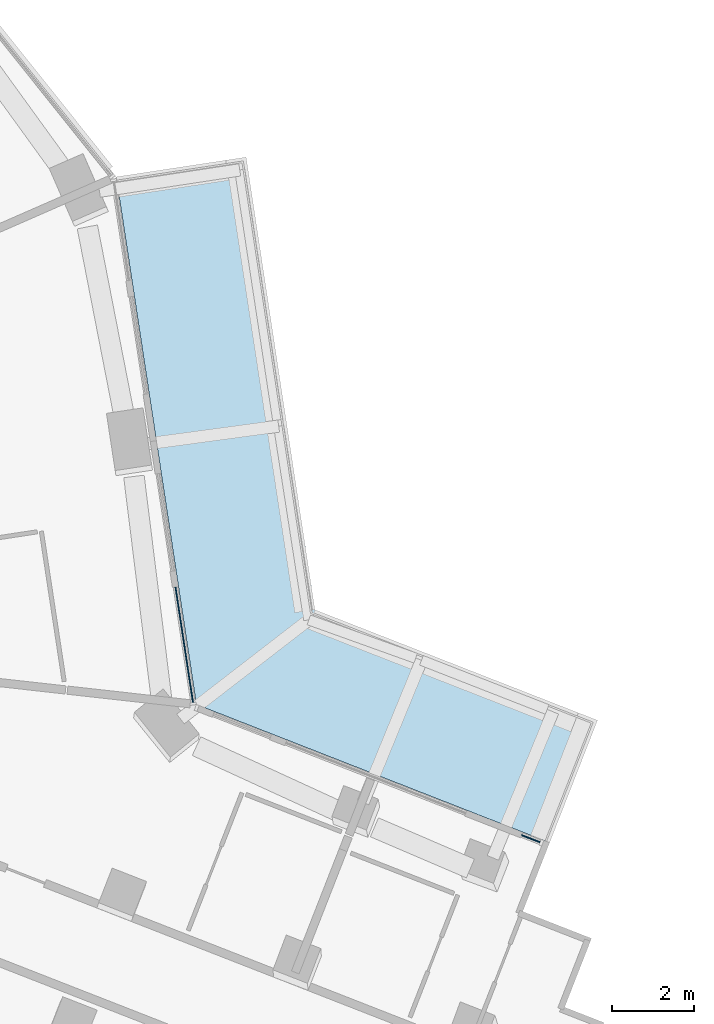
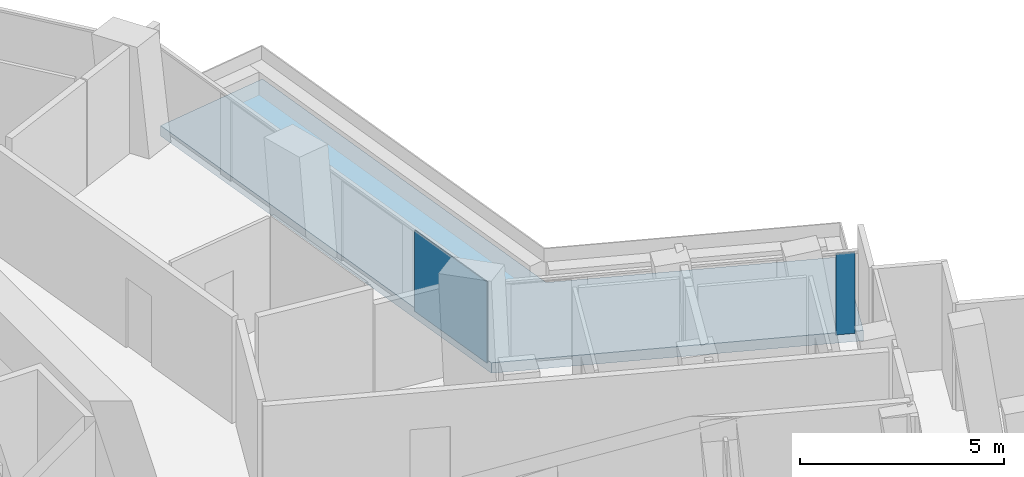
# One storey, part 15 of 28: 2 plates, 1 slab, 2 elements without a shape of their own.
"""IFC4 building model written with IfcOpenShell, lengths in metres."""

from ifc_helpers import new_model, si_unit, direction, frame, origin, origin_2d, place, context, subcontext, project, spatial, polyline, rectangle, outline, extrude, material, layer, layer_set, type_object, element, aggregate, save


model = new_model("IFC4")

# Units and contexts
model_context = context("Model", 3, precision=1e-05, world=origin(), true_north=direction((0.0, 1.0)))
body_context = subcontext(model_context, "Body", "Model", "MODEL_VIEW")
ifc_project = project(units=[si_unit("LENGTHUNIT", "METRE"), si_unit("AREAUNIT", "SQUARE_METRE"), si_unit("VOLUMEUNIT", "CUBIC_METRE"), si_unit("PLANEANGLEUNIT", "RADIAN"), si_unit("MASSUNIT", "GRAM", prefix="KILO")], contexts=[model_context])

# Site, building, storey
site_placement = place(None, origin())
site = spatial("IfcSite", under=ifc_project, at=site_placement, CompositionType="ELEMENT")
building_placement = place(site_placement, origin())
building = spatial("IfcBuilding", under=site, at=building_placement, Name="Verdalira Terraces Hotel", CompositionType="ELEMENT")
storey_placement = place(building_placement, frame((0.0, 0.0, 68.0)))
storey = spatial("IfcBuildingStorey", under=building, at=storey_placement, Name="L15", CompositionType="ELEMENT", Elevation=68.0)

# Slab
ifc_material_1 = material(Name="Precast concrete C40/50", Category="concrete")
ifc_layer_1 = layer(ifc_material_1, 0.31005859375)
ifc_layer_set_1 = layer_set([ifc_layer_1], Name="Balcony deck 310")
slab_type = type_object("IfcSlabType", Name="Balcony deck 310", PredefinedType="FLOOR", material=ifc_layer_set_1)
slab_placement = place(storey_placement, frame((0.0, 0.0, -0.310059)))
element("IfcSlab", 1, at=slab_placement, inside=storey, type_object=slab_type, Name="Balcony deck", PredefinedType="FLOOR", context=body_context, shape_type="SweptSolid", body=[
    extrude(outline(polyline([(26.170166, 10.55127), (23.006592, 10.070557), (24.959473, -2.781982), (33.562744, -6.146729), (34.728271, -3.166504), (27.845703, -0.474854), (26.170166, 10.55127)])), origin(), (0.0, 0.0, 1.0), 0.310059),
])

# Curtain wall, plate
ifc_material_2 = material(Name="Clear glass", Category="glass")
ifc_layer_2 = layer(ifc_material_2, 0.14990234375)
ifc_layer_set_2 = layer_set([ifc_layer_2], Name="CW1 curtain wall")
curtain_wall_type_1 = type_object("IfcCurtainWallType", Name="CW1 curtain wall", PredefinedType="NOTDEFINED", material=ifc_layer_set_2)
curtain_wall_1_placement = place(storey_placement, origin())
curtain_wall_1 = element("IfcCurtainWall", 2, at=curtain_wall_1_placement, inside=storey, type_object=curtain_wall_type_1, Name="CW1 curtain wall L15 edge 39", PredefinedType="NOTDEFINED")
ifc_material_3 = material(Name="Clear glass", Category="glass")
ifc_layer_3 = layer(ifc_material_3, 0.028076171875)
ifc_layer_set_3 = layer_set([ifc_layer_3], Name="CW1 glass unit 28")
plate_type_1 = type_object("IfcPlateType", Name="CW1 glass unit 28", PredefinedType="CURTAIN_PANEL", material=ifc_layer_set_3)
plate_1_placement = place(storey_placement, frame((24.663086, -1.330078, 0.0), z_axis=(0.0, 0.0, 1.0), x_axis=(-0.150225589, 0.988651745, 0.0)))
plate_1 = element("IfcPlate", 3, at=plate_1_placement, type_object=plate_type_1, Name="CW1 glass unit", PredefinedType="CURTAIN_PANEL", context=body_context, shape_type="SweptSolid", body=[
    extrude(rectangle(XDim=2.840088, YDim=0.028076, at=origin_2d()), origin(), (0.0, 0.0, 1.0), 2.425049),
])
aggregate(curtain_wall_1, [plate_1])

ifc_material_4 = material(Name="Clear glass", Category="glass")
ifc_layer_4 = layer(ifc_material_4, 0.14990234375)
ifc_layer_set_4 = layer_set([ifc_layer_4], Name="CW2 curtain wall")
curtain_wall_type_2 = type_object("IfcCurtainWallType", Name="CW2 curtain wall", PredefinedType="NOTDEFINED", material=ifc_layer_set_4)
curtain_wall_2_placement = place(storey_placement, origin())
curtain_wall_2 = element("IfcCurtainWall", 4, at=curtain_wall_2_placement, inside=storey, type_object=curtain_wall_type_2, Name="CW2 curtain wall L15 edge 38", PredefinedType="NOTDEFINED")
ifc_material_5 = material(Name="Clear glass", Category="glass")
ifc_layer_5 = layer(ifc_material_5, 0.031982421875)
ifc_layer_set_5 = layer_set([ifc_layer_5], Name="CW2 glass unit 32")
plate_type_2 = type_object("IfcPlateType", Name="CW2 glass unit 32", PredefinedType="CURTAIN_PANEL", material=ifc_layer_set_5)
plate_2_placement = place(storey_placement, frame((33.107178, -6.049072, 0.0), z_axis=(0.0, 0.0, 1.0), x_axis=(-0.931310321, 0.364226696, 0.0)))
plate_2 = element("IfcPlate", 5, at=plate_2_placement, type_object=plate_type_2, Name="CW2 glass unit", PredefinedType="CURTAIN_PANEL", context=body_context, shape_type="SweptSolid", body=[
    extrude(rectangle(XDim=0.47998, YDim=0.031982, at=origin_2d()), origin(), (0.0, 0.0, 1.0), 2.425049),
])
aggregate(curtain_wall_2, [plate_2])

save(model, "model.ifc")
